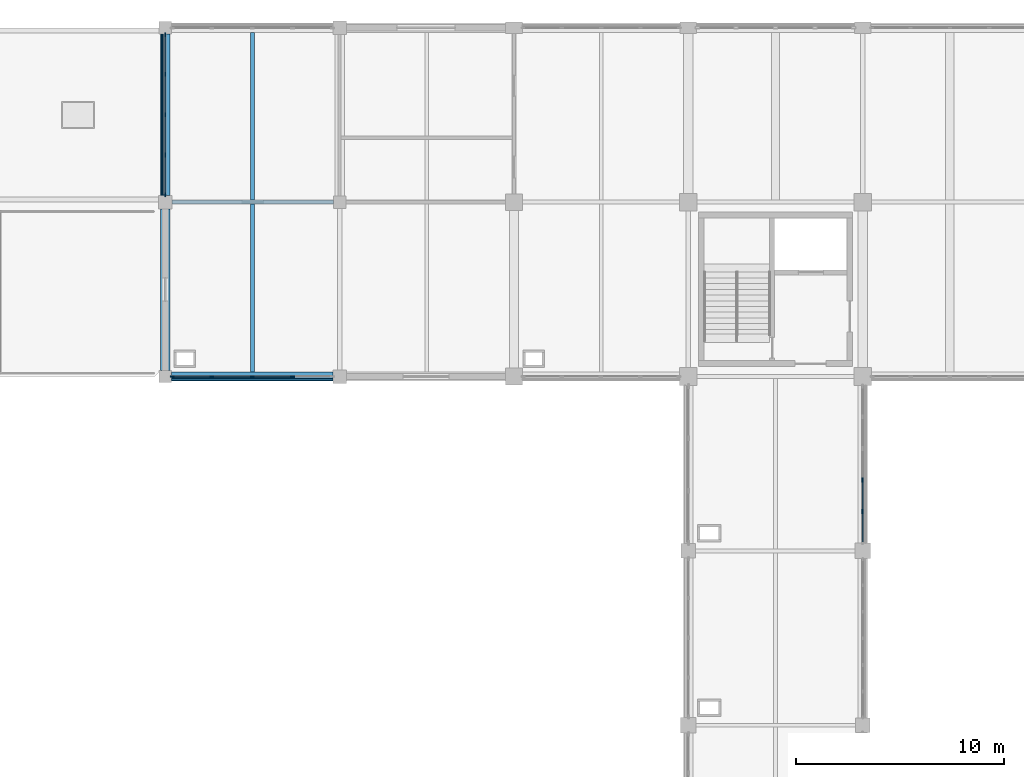
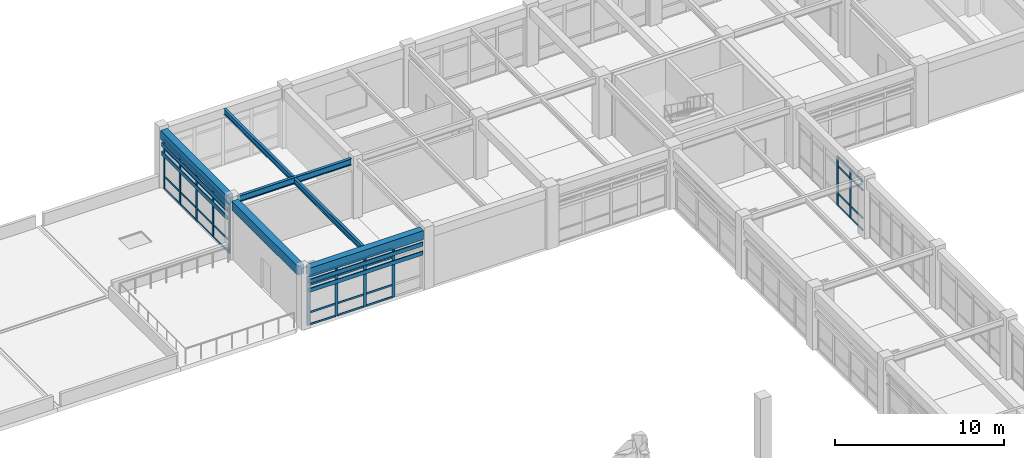
# One storey, part 14 of 78: 51 members, 6 beams, 3 elements without a shape of their own.
"""IFC4 building model written with IfcOpenShell, lengths in metres."""

from ifc_helpers import new_model, si_unit, direction, frame, origin, origin_2d, place, context, subcontext, project, spatial, rectangle, i_section, extrude, material, layer, layer_set, material_profile, profile_set, type_object, element, aggregate, save


model = new_model("IFC4")

# Units and contexts
model_context = context("Model", 3, precision=1e-05, world=origin(), true_north=direction((0.0, 1.0)))
body_context = subcontext(model_context, "Body", "Model", "MODEL_VIEW")
ifc_project = project(units=[si_unit("LENGTHUNIT", "METRE"), si_unit("AREAUNIT", "SQUARE_METRE"), si_unit("VOLUMEUNIT", "CUBIC_METRE"), si_unit("PLANEANGLEUNIT", "RADIAN"), si_unit("MASSUNIT", "GRAM", prefix="KILO")], contexts=[model_context])

# Site, building, storey
site_placement = place(None, origin())
site = spatial("IfcSite", under=ifc_project, at=site_placement, CompositionType="ELEMENT")
building_placement = place(site_placement, origin())
building = spatial("IfcBuilding", under=site, at=building_placement, Name="Porcellanite Civic Hall", CompositionType="ELEMENT")
storey_placement = place(building_placement, frame((0.0, 0.0, 10.260009765625)))
storey = spatial("IfcBuildingStorey", under=building, at=storey_placement, Name="L02", CompositionType="ELEMENT", Elevation=10.260009765625)

# Beams
ifc_material_1 = material(Name="Concrete N50 (50 MPa)", Category="concrete")
ifc_material_profile_1 = material_profile(ifc_material_1, rectangle(XDim=0.449951171875, YDim=0.64990234375, at=origin_2d()), Name="RC-450x650")
ifc_profile_set_1 = profile_set([ifc_material_profile_1], Name="Concrete N50 (50 MPa)")
beam_type_1 = type_object("IfcBeamType", Name="BM-RC650", PredefinedType="SPANDREL", material=ifc_profile_set_1)
for number, where, z_axis, x_axis, name in (
    (1, (25.49951171875, 100.800048828125, 3.9150390625), (1.0, 0.0, 0.0), (0.0, 1.0, 0.0), "Beam X L02 4-13"),
    (2, (25.199951171875, 101.099609375, 3.9150390625), (0.0, 1.0, 0.0), (-1.0, 0.0, 0.0), "Beam Y L02 4-13"),
):
    element("IfcBeam", number, at=place(storey_placement, frame(where, z_axis=z_axis, x_axis=x_axis)), inside=storey, type_object=beam_type_1, Name=name, PredefinedType="SPANDREL", context=body_context, shape_type="SweptSolid", body=[
        extrude(rectangle(XDim=0.449951171875, YDim=0.64990234375, at=origin_2d()), origin(), (0.0, 0.0, 1.0), 7.77587890625),
    ])
beam_1_placement = place(storey_placement, frame((25.199951171875, 109.5244140625, 3.9150390625), z_axis=(0.0, 1.0, 0.0), x_axis=(-1.0, 0.0, 0.0)))
element("IfcBeam", 3, at=beam_1_placement, inside=storey, type_object=beam_type_1, Name="Beam Y L02 4-14", PredefinedType="SPANDREL", context=body_context, shape_type="SweptSolid", body=[
    extrude(rectangle(XDim=0.449951171875, YDim=0.64990234375, at=origin_2d()), origin(), (0.0, 0.0, 1.0), 7.776123046875),
])

# Curtain wall, members
ifc_material_2 = material(Name="Anodised aluminium and solar laminated glass", Category="aluminium")
ifc_layer_1 = layer(ifc_material_2, 0.179931640625)
ifc_layer_set_1 = layer_set([ifc_layer_1], Name="Anodised aluminium and solar laminated glass")
curtain_wall_type_1 = type_object("IfcCurtainWallType", Name="CW-SYS05", PredefinedType="NOTDEFINED", material=ifc_layer_set_1)
curtain_wall_1_placement = place(storey_placement, origin())
curtain_wall_1 = element("IfcCurtainWall", 4, at=curtain_wall_1_placement, inside=storey, type_object=curtain_wall_type_1, Name="Curtain wall CW-136", PredefinedType="NOTDEFINED")
ifc_material_3 = material(Name="Anodised aluminium 6063-T6", Category="aluminium")
ifc_material_profile_2 = material_profile(ifc_material_3, rectangle(XDim=0.070068359375, YDim=0.199951171875, at=origin_2d()), Name="AL-70x200")
ifc_profile_set_2 = profile_set([ifc_material_profile_2], Name="Anodised aluminium 6063-T6")
member_type_1 = type_object("IfcMemberType", Name="CWM-05", PredefinedType="MULLION", material=ifc_profile_set_2)
member_1_placement = place(storey_placement, frame((31.330810546875, 100.800048828125, 0.0), z_axis=(0.0, 0.0, 1.0), x_axis=(0.0, -1.0, 0.0)))
member_1 = element("IfcMember", 5, at=member_1_placement, type_object=member_type_1, Name="CW-136 mullion 2", PredefinedType="MULLION", context=body_context, shape_type="SweptSolid", body=[
    extrude(rectangle(XDim=0.070068359375, YDim=0.199951171875, at=origin_2d()), origin(), (0.0, 0.0, 1.0), 3.5400390625),
])
member_2_placement = place(storey_placement, frame((29.387451171875, 100.800048828125, 0.0), z_axis=(0.0, 0.0, 1.0), x_axis=(0.0, -1.0, 0.0)))
member_2 = element("IfcMember", 6, at=member_2_placement, type_object=member_type_1, Name="CW-136 mullion 3", PredefinedType="MULLION", context=body_context, shape_type="SweptSolid", body=[
    extrude(rectangle(XDim=0.070068359375, YDim=0.199951171875, at=origin_2d()), origin(), (0.0, 0.0, 1.0), 3.5400390625),
])
member_3_placement = place(storey_placement, frame((27.4443359375, 100.800048828125, 0.0), z_axis=(0.0, 0.0, 1.0), x_axis=(0.0, -1.0, 0.0)))
member_3 = element("IfcMember", 7, at=member_3_placement, type_object=member_type_1, Name="CW-136 mullion 4", PredefinedType="MULLION", context=body_context, shape_type="SweptSolid", body=[
    extrude(rectangle(XDim=0.070068359375, YDim=0.199951171875, at=origin_2d()), origin(), (0.0, 0.0, 1.0), 3.5400390625),
])
member_4_placement = place(storey_placement, frame((25.535888671875, 100.800048828125, 0.0), z_axis=(0.0, 0.0, 1.0), x_axis=(0.0, -1.0, 0.0)))
member_4 = element("IfcMember", 8, at=member_4_placement, type_object=member_type_1, Name="CW-136 mullion 5", PredefinedType="MULLION", context=body_context, shape_type="SweptSolid", body=[
    extrude(rectangle(XDim=0.070068359375, YDim=0.199951171875, at=origin_2d()), origin(), (0.0, 0.0, 1.0), 3.5400390625),
])

curtain_wall_2_placement = place(storey_placement, origin())
curtain_wall_2 = element("IfcCurtainWall", 9, at=curtain_wall_2_placement, inside=storey, type_object=curtain_wall_type_1, Name="Curtain wall CW-137", PredefinedType="NOTDEFINED")
member_5_placement = place(storey_placement, frame((25.199951171875, 109.56103515625, 0.0), z_axis=(0.0, 0.0, 1.0), x_axis=(-1.0, 0.0, 0.0)))
member_5 = element("IfcMember", 10, at=member_5_placement, type_object=member_type_1, Name="CW-137 mullion 1", PredefinedType="MULLION", context=body_context, shape_type="SweptSolid", body=[
    extrude(rectangle(XDim=0.070068359375, YDim=0.199951171875, at=origin_2d()), origin(), (0.0, 0.0, 1.0), 3.5400390625),
])
member_6_placement = place(storey_placement, frame((25.199951171875, 111.46923828125, 0.0), z_axis=(0.0, 0.0, 1.0), x_axis=(-1.0, 0.0, 0.0)))
member_6 = element("IfcMember", 11, at=member_6_placement, type_object=member_type_1, Name="CW-137 mullion 2", PredefinedType="MULLION", context=body_context, shape_type="SweptSolid", body=[
    extrude(rectangle(XDim=0.070068359375, YDim=0.199951171875, at=origin_2d()), origin(), (0.0, 0.0, 1.0), 3.5400390625),
])
member_7_placement = place(storey_placement, frame((25.199951171875, 113.41259765625, 0.0), z_axis=(0.0, 0.0, 1.0), x_axis=(-1.0, 0.0, 0.0)))
member_7 = element("IfcMember", 12, at=member_7_placement, type_object=member_type_1, Name="CW-137 mullion 3", PredefinedType="MULLION", context=body_context, shape_type="SweptSolid", body=[
    extrude(rectangle(XDim=0.070068359375, YDim=0.199951171875, at=origin_2d()), origin(), (0.0, 0.0, 1.0), 3.5400390625),
])
member_8_placement = place(storey_placement, frame((25.199951171875, 115.355712890625, 0.0), z_axis=(0.0, 0.0, 1.0), x_axis=(-1.0, 0.0, 0.0)))
member_8 = element("IfcMember", 13, at=member_8_placement, type_object=member_type_1, Name="CW-137 mullion 4", PredefinedType="MULLION", context=body_context, shape_type="SweptSolid", body=[
    extrude(rectangle(XDim=0.070068359375, YDim=0.199951171875, at=origin_2d()), origin(), (0.0, 0.0, 1.0), 3.5400390625),
])
member_9_placement = place(storey_placement, frame((25.199951171875, 117.263916015625, 0.0), z_axis=(0.0, 0.0, 1.0), x_axis=(-1.0, 0.0, 0.0)))
member_9 = element("IfcMember", 14, at=member_9_placement, type_object=member_type_1, Name="CW-137 mullion 5", PredefinedType="MULLION", context=body_context, shape_type="SweptSolid", body=[
    extrude(rectangle(XDim=0.070068359375, YDim=0.199951171875, at=origin_2d()), origin(), (0.0, 0.0, 1.0), 3.5400390625),
])

ifc_material_4 = material(Name="Anodised aluminium and solar laminated glass", Category="aluminium")
ifc_layer_2 = layer(ifc_material_4, 0.179931640625)
ifc_layer_set_2 = layer_set([ifc_layer_2], Name="Anodised aluminium and solar laminated glass")
curtain_wall_type_2 = type_object("IfcCurtainWallType", Name="CW-SYS01", PredefinedType="NOTDEFINED", material=ifc_layer_set_2)
curtain_wall_3_placement = place(storey_placement, origin())
curtain_wall_3 = element("IfcCurtainWall", 15, at=curtain_wall_3_placement, inside=storey, type_object=curtain_wall_type_2, Name="Curtain wall CW-149", PredefinedType="NOTDEFINED")
member_10_placement = place(storey_placement, frame((58.800048828125, 95.815185546875, 0.0), z_axis=(0.0, 0.0, 1.0), x_axis=(1.0, 0.0, 0.0)))
member_10 = element("IfcMember", 16, at=member_10_placement, type_object=member_type_1, Name="CW-149 mullion 4", PredefinedType="MULLION", context=body_context, shape_type="SweptSolid", body=[
    extrude(rectangle(XDim=0.070068359375, YDim=0.199951171875, at=origin_2d()), origin(), (0.0, 0.0, 1.0), 3.5400390625),
])
member_11_placement = place(storey_placement, frame((58.800048828125, 94.295654296875, 0.0), z_axis=(0.0, 0.0, 1.0), x_axis=(1.0, 0.0, 0.0)))
member_11 = element("IfcMember", 17, at=member_11_placement, type_object=member_type_1, Name="CW-149 mullion 5", PredefinedType="MULLION", context=body_context, shape_type="SweptSolid", body=[
    extrude(rectangle(XDim=0.070068359375, YDim=0.199951171875, at=origin_2d()), origin(), (0.0, 0.0, 1.0), 3.5400390625),
])

# Member
ifc_material_5 = material(Name="Anodised aluminium 6063-T6", Category="aluminium")
ifc_material_profile_3 = material_profile(ifc_material_5, rectangle(XDim=0.06005859375, YDim=0.1298828125, at=origin_2d()), Name="AL-60x130")
ifc_profile_set_3 = profile_set([ifc_material_profile_3], Name="Anodised aluminium 6063-T6")
member_type_2 = type_object("IfcMemberType", Name="CWT-03", PredefinedType="USERDEFINED", material=ifc_profile_set_3)
member_12_placement = place(storey_placement, frame((31.295654296875, 100.800048828125, 0.030029296875), z_axis=(-1.0, 0.0, 0.0), x_axis=(0.0, -1.0, 0.0)))
member_12 = element("IfcMember", 18, at=member_12_placement, type_object=member_type_2, Name="CW-136 transom 2.1", ObjectType="TRANSOM", PredefinedType="USERDEFINED", context=body_context, shape_type="SweptSolid", body=[
    extrude(rectangle(XDim=0.06005859375, YDim=0.1298828125, at=origin_2d()), origin(), (0.0, 0.0, 1.0), 1.873046875),
])

member_13_placement = place(storey_placement, frame((31.295654296875, 100.800048828125, 0.89990234375), z_axis=(-1.0, 0.0, 0.0), x_axis=(0.0, -1.0, 0.0)))
member_13 = element("IfcMember", 19, at=member_13_placement, type_object=member_type_2, Name="CW-136 transom 2.2", ObjectType="TRANSOM", PredefinedType="USERDEFINED", context=body_context, shape_type="SweptSolid", body=[
    extrude(rectangle(XDim=0.06005859375, YDim=0.1298828125, at=origin_2d()), origin(), (0.0, 0.0, 1.0), 1.873046875),
])

member_14_placement = place(storey_placement, frame((31.295654296875, 100.800048828125, 2.889892578125), z_axis=(-1.0, 0.0, 0.0), x_axis=(0.0, -1.0, 0.0)))
member_14 = element("IfcMember", 20, at=member_14_placement, type_object=member_type_2, Name="CW-136 transom 2.3", ObjectType="TRANSOM", PredefinedType="USERDEFINED", context=body_context, shape_type="SweptSolid", body=[
    extrude(rectangle(XDim=0.06005859375, YDim=0.1298828125, at=origin_2d()), origin(), (0.0, 0.0, 1.0), 1.873046875),
])

member_15_placement = place(storey_placement, frame((31.295654296875, 100.800048828125, 3.510009765625), z_axis=(-1.0, 0.0, 0.0), x_axis=(0.0, -1.0, 0.0)))
member_15 = element("IfcMember", 21, at=member_15_placement, type_object=member_type_2, Name="CW-136 transom 2.4", ObjectType="TRANSOM", PredefinedType="USERDEFINED", context=body_context, shape_type="SweptSolid", body=[
    extrude(rectangle(XDim=0.06005859375, YDim=0.1298828125, at=origin_2d()), origin(), (0.0, 0.0, 1.0), 1.873046875),
])

member_16_placement = place(storey_placement, frame((29.3525390625, 100.800048828125, 0.030029296875), z_axis=(-1.0, 0.0, 0.0), x_axis=(0.0, -1.0, 0.0)))
member_16 = element("IfcMember", 22, at=member_16_placement, type_object=member_type_2, Name="CW-136 transom 3.1", ObjectType="TRANSOM", PredefinedType="USERDEFINED", context=body_context, shape_type="SweptSolid", body=[
    extrude(rectangle(XDim=0.06005859375, YDim=0.1298828125, at=origin_2d()), origin(), (0.0, 0.0, 1.0), 1.873291015625),
])

member_17_placement = place(storey_placement, frame((29.3525390625, 100.800048828125, 0.89990234375), z_axis=(-1.0, 0.0, 0.0), x_axis=(0.0, -1.0, 0.0)))
member_17 = element("IfcMember", 23, at=member_17_placement, type_object=member_type_2, Name="CW-136 transom 3.2", ObjectType="TRANSOM", PredefinedType="USERDEFINED", context=body_context, shape_type="SweptSolid", body=[
    extrude(rectangle(XDim=0.06005859375, YDim=0.1298828125, at=origin_2d()), origin(), (0.0, 0.0, 1.0), 1.873291015625),
])

member_18_placement = place(storey_placement, frame((29.3525390625, 100.800048828125, 2.889892578125), z_axis=(-1.0, 0.0, 0.0), x_axis=(0.0, -1.0, 0.0)))
member_18 = element("IfcMember", 24, at=member_18_placement, type_object=member_type_2, Name="CW-136 transom 3.3", ObjectType="TRANSOM", PredefinedType="USERDEFINED", context=body_context, shape_type="SweptSolid", body=[
    extrude(rectangle(XDim=0.06005859375, YDim=0.1298828125, at=origin_2d()), origin(), (0.0, 0.0, 1.0), 1.873291015625),
])

member_19_placement = place(storey_placement, frame((29.3525390625, 100.800048828125, 3.510009765625), z_axis=(-1.0, 0.0, 0.0), x_axis=(0.0, -1.0, 0.0)))
member_19 = element("IfcMember", 25, at=member_19_placement, type_object=member_type_2, Name="CW-136 transom 3.4", ObjectType="TRANSOM", PredefinedType="USERDEFINED", context=body_context, shape_type="SweptSolid", body=[
    extrude(rectangle(XDim=0.06005859375, YDim=0.1298828125, at=origin_2d()), origin(), (0.0, 0.0, 1.0), 1.873291015625),
])

member_20_placement = place(storey_placement, frame((27.4091796875, 100.800048828125, 0.030029296875), z_axis=(-1.0, 0.0, 0.0), x_axis=(0.0, -1.0, 0.0)))
member_20 = element("IfcMember", 26, at=member_20_placement, type_object=member_type_2, Name="CW-136 transom 4.1", ObjectType="TRANSOM", PredefinedType="USERDEFINED", context=body_context, shape_type="SweptSolid", body=[
    extrude(rectangle(XDim=0.06005859375, YDim=0.1298828125, at=origin_2d()), origin(), (0.0, 0.0, 1.0), 1.838134765625),
])

member_21_placement = place(storey_placement, frame((27.4091796875, 100.800048828125, 0.89990234375), z_axis=(-1.0, 0.0, 0.0), x_axis=(0.0, -1.0, 0.0)))
member_21 = element("IfcMember", 27, at=member_21_placement, type_object=member_type_2, Name="CW-136 transom 4.2", ObjectType="TRANSOM", PredefinedType="USERDEFINED", context=body_context, shape_type="SweptSolid", body=[
    extrude(rectangle(XDim=0.06005859375, YDim=0.1298828125, at=origin_2d()), origin(), (0.0, 0.0, 1.0), 1.838134765625),
])

member_22_placement = place(storey_placement, frame((27.4091796875, 100.800048828125, 2.889892578125), z_axis=(-1.0, 0.0, 0.0), x_axis=(0.0, -1.0, 0.0)))
member_22 = element("IfcMember", 28, at=member_22_placement, type_object=member_type_2, Name="CW-136 transom 4.3", ObjectType="TRANSOM", PredefinedType="USERDEFINED", context=body_context, shape_type="SweptSolid", body=[
    extrude(rectangle(XDim=0.06005859375, YDim=0.1298828125, at=origin_2d()), origin(), (0.0, 0.0, 1.0), 1.838134765625),
])

member_23_placement = place(storey_placement, frame((27.4091796875, 100.800048828125, 3.510009765625), z_axis=(-1.0, 0.0, 0.0), x_axis=(0.0, -1.0, 0.0)))
member_23 = element("IfcMember", 29, at=member_23_placement, type_object=member_type_2, Name="CW-136 transom 4.4", ObjectType="TRANSOM", PredefinedType="USERDEFINED", context=body_context, shape_type="SweptSolid", body=[
    extrude(rectangle(XDim=0.06005859375, YDim=0.1298828125, at=origin_2d()), origin(), (0.0, 0.0, 1.0), 1.838134765625),
])

aggregate(curtain_wall_1, [member_1, member_2, member_3, member_4, member_12, member_13, member_14, member_15, member_16, member_17, member_18, member_19, member_20, member_21, member_22, member_23])

member_24_placement = place(storey_placement, frame((25.199951171875, 109.595947265625, 0.030029296875), z_axis=(0.0, 1.0, 0.0), x_axis=(-1.0, 0.0, 0.0)))
member_24 = element("IfcMember", 30, at=member_24_placement, type_object=member_type_2, Name="CW-137 transom 1.1", ObjectType="TRANSOM", PredefinedType="USERDEFINED", context=body_context, shape_type="SweptSolid", body=[
    extrude(rectangle(XDim=0.06005859375, YDim=0.1298828125, at=origin_2d()), origin(), (0.0, 0.0, 1.0), 1.83837890625),
])

member_25_placement = place(storey_placement, frame((25.199951171875, 109.595947265625, 0.89990234375), z_axis=(0.0, 1.0, 0.0), x_axis=(-1.0, 0.0, 0.0)))
member_25 = element("IfcMember", 31, at=member_25_placement, type_object=member_type_2, Name="CW-137 transom 1.2", ObjectType="TRANSOM", PredefinedType="USERDEFINED", context=body_context, shape_type="SweptSolid", body=[
    extrude(rectangle(XDim=0.06005859375, YDim=0.1298828125, at=origin_2d()), origin(), (0.0, 0.0, 1.0), 1.83837890625),
])

member_26_placement = place(storey_placement, frame((25.199951171875, 109.595947265625, 2.889892578125), z_axis=(0.0, 1.0, 0.0), x_axis=(-1.0, 0.0, 0.0)))
member_26 = element("IfcMember", 32, at=member_26_placement, type_object=member_type_2, Name="CW-137 transom 1.3", ObjectType="TRANSOM", PredefinedType="USERDEFINED", context=body_context, shape_type="SweptSolid", body=[
    extrude(rectangle(XDim=0.06005859375, YDim=0.1298828125, at=origin_2d()), origin(), (0.0, 0.0, 1.0), 1.83837890625),
])

member_27_placement = place(storey_placement, frame((25.199951171875, 109.595947265625, 3.510009765625), z_axis=(0.0, 1.0, 0.0), x_axis=(-1.0, 0.0, 0.0)))
member_27 = element("IfcMember", 33, at=member_27_placement, type_object=member_type_2, Name="CW-137 transom 1.4", ObjectType="TRANSOM", PredefinedType="USERDEFINED", context=body_context, shape_type="SweptSolid", body=[
    extrude(rectangle(XDim=0.06005859375, YDim=0.1298828125, at=origin_2d()), origin(), (0.0, 0.0, 1.0), 1.83837890625),
])

member_28_placement = place(storey_placement, frame((25.199951171875, 111.504150390625, 0.030029296875), z_axis=(0.0, 1.0, 0.0), x_axis=(-1.0, 0.0, 0.0)))
member_28 = element("IfcMember", 34, at=member_28_placement, type_object=member_type_2, Name="CW-137 transom 2.1", ObjectType="TRANSOM", PredefinedType="USERDEFINED", context=body_context, shape_type="SweptSolid", body=[
    extrude(rectangle(XDim=0.06005859375, YDim=0.1298828125, at=origin_2d()), origin(), (0.0, 0.0, 1.0), 1.873291015625),
])

member_29_placement = place(storey_placement, frame((25.199951171875, 111.504150390625, 0.89990234375), z_axis=(0.0, 1.0, 0.0), x_axis=(-1.0, 0.0, 0.0)))
member_29 = element("IfcMember", 35, at=member_29_placement, type_object=member_type_2, Name="CW-137 transom 2.2", ObjectType="TRANSOM", PredefinedType="USERDEFINED", context=body_context, shape_type="SweptSolid", body=[
    extrude(rectangle(XDim=0.06005859375, YDim=0.1298828125, at=origin_2d()), origin(), (0.0, 0.0, 1.0), 1.873291015625),
])

member_30_placement = place(storey_placement, frame((25.199951171875, 111.504150390625, 2.889892578125), z_axis=(0.0, 1.0, 0.0), x_axis=(-1.0, 0.0, 0.0)))
member_30 = element("IfcMember", 36, at=member_30_placement, type_object=member_type_2, Name="CW-137 transom 2.3", ObjectType="TRANSOM", PredefinedType="USERDEFINED", context=body_context, shape_type="SweptSolid", body=[
    extrude(rectangle(XDim=0.06005859375, YDim=0.1298828125, at=origin_2d()), origin(), (0.0, 0.0, 1.0), 1.873291015625),
])

member_31_placement = place(storey_placement, frame((25.199951171875, 111.504150390625, 3.510009765625), z_axis=(0.0, 1.0, 0.0), x_axis=(-1.0, 0.0, 0.0)))
member_31 = element("IfcMember", 37, at=member_31_placement, type_object=member_type_2, Name="CW-137 transom 2.4", ObjectType="TRANSOM", PredefinedType="USERDEFINED", context=body_context, shape_type="SweptSolid", body=[
    extrude(rectangle(XDim=0.06005859375, YDim=0.1298828125, at=origin_2d()), origin(), (0.0, 0.0, 1.0), 1.873291015625),
])

member_32_placement = place(storey_placement, frame((25.199951171875, 113.447509765625, 0.030029296875), z_axis=(0.0, 1.0, 0.0), x_axis=(-1.0, 0.0, 0.0)))
member_32 = element("IfcMember", 38, at=member_32_placement, type_object=member_type_2, Name="CW-137 transom 3.1", ObjectType="TRANSOM", PredefinedType="USERDEFINED", context=body_context, shape_type="SweptSolid", body=[
    extrude(rectangle(XDim=0.06005859375, YDim=0.1298828125, at=origin_2d()), origin(), (0.0, 0.0, 1.0), 1.873291015625),
])

member_33_placement = place(storey_placement, frame((25.199951171875, 113.447509765625, 0.89990234375), z_axis=(0.0, 1.0, 0.0), x_axis=(-1.0, 0.0, 0.0)))
member_33 = element("IfcMember", 39, at=member_33_placement, type_object=member_type_2, Name="CW-137 transom 3.2", ObjectType="TRANSOM", PredefinedType="USERDEFINED", context=body_context, shape_type="SweptSolid", body=[
    extrude(rectangle(XDim=0.06005859375, YDim=0.1298828125, at=origin_2d()), origin(), (0.0, 0.0, 1.0), 1.873291015625),
])

member_34_placement = place(storey_placement, frame((25.199951171875, 113.447509765625, 2.889892578125), z_axis=(0.0, 1.0, 0.0), x_axis=(-1.0, 0.0, 0.0)))
member_34 = element("IfcMember", 40, at=member_34_placement, type_object=member_type_2, Name="CW-137 transom 3.3", ObjectType="TRANSOM", PredefinedType="USERDEFINED", context=body_context, shape_type="SweptSolid", body=[
    extrude(rectangle(XDim=0.06005859375, YDim=0.1298828125, at=origin_2d()), origin(), (0.0, 0.0, 1.0), 1.873291015625),
])

member_35_placement = place(storey_placement, frame((25.199951171875, 113.447509765625, 3.510009765625), z_axis=(0.0, 1.0, 0.0), x_axis=(-1.0, 0.0, 0.0)))
member_35 = element("IfcMember", 41, at=member_35_placement, type_object=member_type_2, Name="CW-137 transom 3.4", ObjectType="TRANSOM", PredefinedType="USERDEFINED", context=body_context, shape_type="SweptSolid", body=[
    extrude(rectangle(XDim=0.06005859375, YDim=0.1298828125, at=origin_2d()), origin(), (0.0, 0.0, 1.0), 1.873291015625),
])

member_36_placement = place(storey_placement, frame((25.199951171875, 115.390869140625, 0.030029296875), z_axis=(0.0, 1.0, 0.0), x_axis=(-1.0, 0.0, 0.0)))
member_36 = element("IfcMember", 42, at=member_36_placement, type_object=member_type_2, Name="CW-137 transom 4.1", ObjectType="TRANSOM", PredefinedType="USERDEFINED", context=body_context, shape_type="SweptSolid", body=[
    extrude(rectangle(XDim=0.06005859375, YDim=0.1298828125, at=origin_2d()), origin(), (0.0, 0.0, 1.0), 1.838134765625),
])

member_37_placement = place(storey_placement, frame((25.199951171875, 115.390869140625, 0.89990234375), z_axis=(0.0, 1.0, 0.0), x_axis=(-1.0, 0.0, 0.0)))
member_37 = element("IfcMember", 43, at=member_37_placement, type_object=member_type_2, Name="CW-137 transom 4.2", ObjectType="TRANSOM", PredefinedType="USERDEFINED", context=body_context, shape_type="SweptSolid", body=[
    extrude(rectangle(XDim=0.06005859375, YDim=0.1298828125, at=origin_2d()), origin(), (0.0, 0.0, 1.0), 1.838134765625),
])

member_38_placement = place(storey_placement, frame((25.199951171875, 115.390869140625, 2.889892578125), z_axis=(0.0, 1.0, 0.0), x_axis=(-1.0, 0.0, 0.0)))
member_38 = element("IfcMember", 44, at=member_38_placement, type_object=member_type_2, Name="CW-137 transom 4.3", ObjectType="TRANSOM", PredefinedType="USERDEFINED", context=body_context, shape_type="SweptSolid", body=[
    extrude(rectangle(XDim=0.06005859375, YDim=0.1298828125, at=origin_2d()), origin(), (0.0, 0.0, 1.0), 1.838134765625),
])

member_39_placement = place(storey_placement, frame((25.199951171875, 115.390869140625, 3.510009765625), z_axis=(0.0, 1.0, 0.0), x_axis=(-1.0, 0.0, 0.0)))
member_39 = element("IfcMember", 45, at=member_39_placement, type_object=member_type_2, Name="CW-137 transom 4.4", ObjectType="TRANSOM", PredefinedType="USERDEFINED", context=body_context, shape_type="SweptSolid", body=[
    extrude(rectangle(XDim=0.06005859375, YDim=0.1298828125, at=origin_2d()), origin(), (0.0, 0.0, 1.0), 1.838134765625),
])

aggregate(curtain_wall_2, [member_5, member_6, member_7, member_8, member_9, member_24, member_25, member_26, member_27, member_28, member_29, member_30, member_31, member_32, member_33, member_34, member_35, member_36, member_37, member_38, member_39])

member_40_placement = place(storey_placement, frame((58.800048828125, 95.7802734375, 0.030029296875), z_axis=(0.0, -1.0, 0.0), x_axis=(1.0, 0.0, 0.0)))
member_40 = element("IfcMember", 46, at=member_40_placement, type_object=member_type_2, Name="CW-149 transom 4.1", ObjectType="TRANSOM", PredefinedType="USERDEFINED", context=body_context, shape_type="SweptSolid", body=[
    extrude(rectangle(XDim=0.06005859375, YDim=0.1298828125, at=origin_2d()), origin(), (0.0, 0.0, 1.0), 1.44970703125),
])

member_41_placement = place(storey_placement, frame((58.800048828125, 95.7802734375, 0.89990234375), z_axis=(0.0, -1.0, 0.0), x_axis=(1.0, 0.0, 0.0)))
member_41 = element("IfcMember", 47, at=member_41_placement, type_object=member_type_2, Name="CW-149 transom 4.2", ObjectType="TRANSOM", PredefinedType="USERDEFINED", context=body_context, shape_type="SweptSolid", body=[
    extrude(rectangle(XDim=0.06005859375, YDim=0.1298828125, at=origin_2d()), origin(), (0.0, 0.0, 1.0), 1.44970703125),
])

member_42_placement = place(storey_placement, frame((58.800048828125, 95.7802734375, 2.889892578125), z_axis=(0.0, -1.0, 0.0), x_axis=(1.0, 0.0, 0.0)))
member_42 = element("IfcMember", 48, at=member_42_placement, type_object=member_type_2, Name="CW-149 transom 4.3", ObjectType="TRANSOM", PredefinedType="USERDEFINED", context=body_context, shape_type="SweptSolid", body=[
    extrude(rectangle(XDim=0.06005859375, YDim=0.1298828125, at=origin_2d()), origin(), (0.0, 0.0, 1.0), 1.44970703125),
])

member_43_placement = place(storey_placement, frame((58.800048828125, 95.7802734375, 3.510009765625), z_axis=(0.0, -1.0, 0.0), x_axis=(1.0, 0.0, 0.0)))
member_43 = element("IfcMember", 49, at=member_43_placement, type_object=member_type_2, Name="CW-149 transom 4.4", ObjectType="TRANSOM", PredefinedType="USERDEFINED", context=body_context, shape_type="SweptSolid", body=[
    extrude(rectangle(XDim=0.06005859375, YDim=0.1298828125, at=origin_2d()), origin(), (0.0, 0.0, 1.0), 1.44970703125),
])

member_44_placement = place(storey_placement, frame((58.800048828125, 94.260498046875, 0.030029296875), z_axis=(0.0, -1.0, 0.0), x_axis=(1.0, 0.0, 0.0)))
member_44 = element("IfcMember", 50, at=member_44_placement, type_object=member_type_2, Name="CW-149 transom 5.1", ObjectType="TRANSOM", PredefinedType="USERDEFINED", context=body_context, shape_type="SweptSolid", body=[
    extrude(rectangle(XDim=0.06005859375, YDim=0.1298828125, at=origin_2d()), origin(), (0.0, 0.0, 1.0), 1.41455078125),
])

member_45_placement = place(storey_placement, frame((58.800048828125, 94.260498046875, 0.89990234375), z_axis=(0.0, -1.0, 0.0), x_axis=(1.0, 0.0, 0.0)))
member_45 = element("IfcMember", 51, at=member_45_placement, type_object=member_type_2, Name="CW-149 transom 5.2", ObjectType="TRANSOM", PredefinedType="USERDEFINED", context=body_context, shape_type="SweptSolid", body=[
    extrude(rectangle(XDim=0.06005859375, YDim=0.1298828125, at=origin_2d()), origin(), (0.0, 0.0, 1.0), 1.41455078125),
])

member_46_placement = place(storey_placement, frame((58.800048828125, 94.260498046875, 2.889892578125), z_axis=(0.0, -1.0, 0.0), x_axis=(1.0, 0.0, 0.0)))
member_46 = element("IfcMember", 52, at=member_46_placement, type_object=member_type_2, Name="CW-149 transom 5.3", ObjectType="TRANSOM", PredefinedType="USERDEFINED", context=body_context, shape_type="SweptSolid", body=[
    extrude(rectangle(XDim=0.06005859375, YDim=0.1298828125, at=origin_2d()), origin(), (0.0, 0.0, 1.0), 1.41455078125),
])

member_47_placement = place(storey_placement, frame((58.800048828125, 94.260498046875, 3.510009765625), z_axis=(0.0, -1.0, 0.0), x_axis=(1.0, 0.0, 0.0)))
member_47 = element("IfcMember", 53, at=member_47_placement, type_object=member_type_2, Name="CW-149 transom 5.4", ObjectType="TRANSOM", PredefinedType="USERDEFINED", context=body_context, shape_type="SweptSolid", body=[
    extrude(rectangle(XDim=0.06005859375, YDim=0.1298828125, at=origin_2d()), origin(), (0.0, 0.0, 1.0), 1.41455078125),
])

aggregate(curtain_wall_3, [member_10, member_11, member_40, member_41, member_42, member_43, member_44, member_45, member_46, member_47])

# Beams
ifc_material_6 = material(Name="Steel Grade 350", Category="steel")
ifc_material_profile_4 = material_profile(ifc_material_6, i_section(OverallWidth=0.177978515625, OverallDepth=0.403076171875, WebThickness=0.007568359375, FlangeThickness=0.010986328125, FilletRadius=0.011474609375, at=origin_2d()), Name="410UB53.7")
ifc_profile_set_4 = profile_set([ifc_material_profile_4], Name="Steel Grade 350")
beam_type_2 = type_object("IfcBeamType", Name="JST-410UB54", PredefinedType="JOIST", material=ifc_profile_set_4)
beam_2_placement = place(storey_placement, frame((29.39990234375, 109.29443359375, 4.03857421875), z_axis=(0.0, 1.0, 0.0), x_axis=(-1.0, 0.0, 0.0)))
element("IfcBeam", 54, at=beam_2_placement, inside=storey, type_object=beam_type_2, Name="Secondary joist L02 4-14", PredefinedType="JOIST", context=body_context, shape_type="SweptSolid", body=[
    extrude(i_section(OverallWidth=0.177978515625, OverallDepth=0.403076171875, WebThickness=0.007568359375, FlangeThickness=0.010986328125, FilletRadius=0.011474609375, at=origin_2d()), origin(), (0.0, 0.0, 1.0), 8.0810546875),
])
ifc_material_7 = material(Name="Steel Grade 350", Category="steel")
ifc_material_profile_5 = material_profile(ifc_material_7, i_section(OverallWidth=0.177978515625, OverallDepth=0.406005859375, WebThickness=0.0078125, FlangeThickness=0.0126953125, FilletRadius=0.011474609375, at=origin_2d()), Name="410UB59.7")
ifc_profile_set_5 = profile_set([ifc_material_profile_5], Name="Steel Grade 350")
beam_type_3 = type_object("IfcBeamType", Name="JST-410UB60", PredefinedType="JOIST", material=ifc_profile_set_5)
beam_3_placement = place(storey_placement, frame((29.39990234375, 101.0244140625, 4.037109375), z_axis=(0.0, 1.0, 0.0), x_axis=(-1.0, 0.0, 0.0)))
element("IfcBeam", 55, at=beam_3_placement, inside=storey, type_object=beam_type_3, Name="Secondary joist L02 4-13", PredefinedType="JOIST", context=body_context, shape_type="SweptSolid", body=[
    extrude(i_section(OverallWidth=0.177978515625, OverallDepth=0.406005859375, WebThickness=0.0078125, FlangeThickness=0.0126953125, FilletRadius=0.011474609375, at=origin_2d()), origin(), (0.0, 0.0, 1.0), 8.0810546875),
])

# Members
ifc_material_8 = material(Name="Fluoropolymer bauxite-red aluminium 6063-T6", Category="aluminium")
ifc_material_profile_6 = material_profile(ifc_material_8, rectangle(XDim=0.070068359375, YDim=0.280029296875, at=origin_2d()), Name="AL-70x280")
ifc_profile_set_6 = profile_set([ifc_material_profile_6], Name="Fluoropolymer bauxite-red aluminium 6063-T6")
member_type_3 = type_object("IfcMemberType", Name="LV-BLD05", PredefinedType="USERDEFINED", material=ifc_profile_set_6)
for number, where, z_axis, x_axis, name in (
    (56, (33.275390625, 100.6630859375, 3.239990234375), (-1.0, 0.0, 0.0), (0.0, -1.0, 0.0), "Cyclone sunshade louvre L02 S 3-12 1"),
    (57, (33.275390625, 100.6630859375, 2.590087890625), (-1.0, 0.0, 0.0), (0.0, -1.0, 0.0), "Cyclone sunshade louvre L02 S 3-12 2"),
):
    element("IfcMember", number, at=place(storey_placement, frame(where, z_axis=z_axis, x_axis=x_axis)), inside=storey, type_object=member_type_3, Name=name, ObjectType="LOUVRE BLADE", PredefinedType="USERDEFINED", context=body_context, shape_type="SweptSolid", body=[
        extrude(rectangle(XDim=0.070068359375, YDim=0.280029296875, at=origin_2d()), origin(), (0.0, 0.0, 1.0), 7.77587890625),
    ])
for number, where, z_axis, x_axis, name in (
    (58, (25.06298828125, 109.5244140625, 3.239990234375), (0.0, 1.0, 0.0), (-1.0, 0.0, 0.0), "Cyclone sunshade louvre L02 W 3-13 1"),
    (59, (25.06298828125, 109.5244140625, 2.590087890625), (0.0, 1.0, 0.0), (-1.0, 0.0, 0.0), "Cyclone sunshade louvre L02 W 3-13 2"),
):
    element("IfcMember", number, at=place(storey_placement, frame(where, z_axis=z_axis, x_axis=x_axis)), inside=storey, type_object=member_type_3, Name=name, ObjectType="LOUVRE BLADE", PredefinedType="USERDEFINED", context=body_context, shape_type="SweptSolid", body=[
        extrude(rectangle(XDim=0.070068359375, YDim=0.280029296875, at=origin_2d()), origin(), (0.0, 0.0, 1.0), 7.776123046875),
    ])

# Beam
ifc_material_9 = material(Name="Steel Grade 350", Category="steel")
ifc_material_profile_7 = material_profile(ifc_material_9, i_section(OverallWidth=0.18994140625, OverallDepth=0.4541015625, WebThickness=0.008544921875, FlangeThickness=0.0126953125, FilletRadius=0.011474609375, at=origin_2d()), Name="460UB67.1")
ifc_profile_set_7 = profile_set([ifc_material_profile_7], Name="Steel Grade 350")
beam_type_4 = type_object("IfcBeamType", Name="RAF-460UB67", PredefinedType="BEAM", material=ifc_profile_set_7)
beam_4_placement = place(storey_placement, frame((25.5244140625, 109.199951171875, 4.012939453125), z_axis=(1.0, 0.0, 0.0), x_axis=(0.0, 1.0, 0.0)))
element("IfcBeam", 60, at=beam_4_placement, inside=storey, type_object=beam_type_4, Name="Beam X L02 4-14", PredefinedType="BEAM", context=body_context, shape_type="SweptSolid", body=[
    extrude(i_section(OverallWidth=0.18994140625, OverallDepth=0.4541015625, WebThickness=0.008544921875, FlangeThickness=0.0126953125, FilletRadius=0.011474609375, at=origin_2d()), origin(), (0.0, 0.0, 1.0), 7.776123046875),
])

save(model, "model.ifc")
